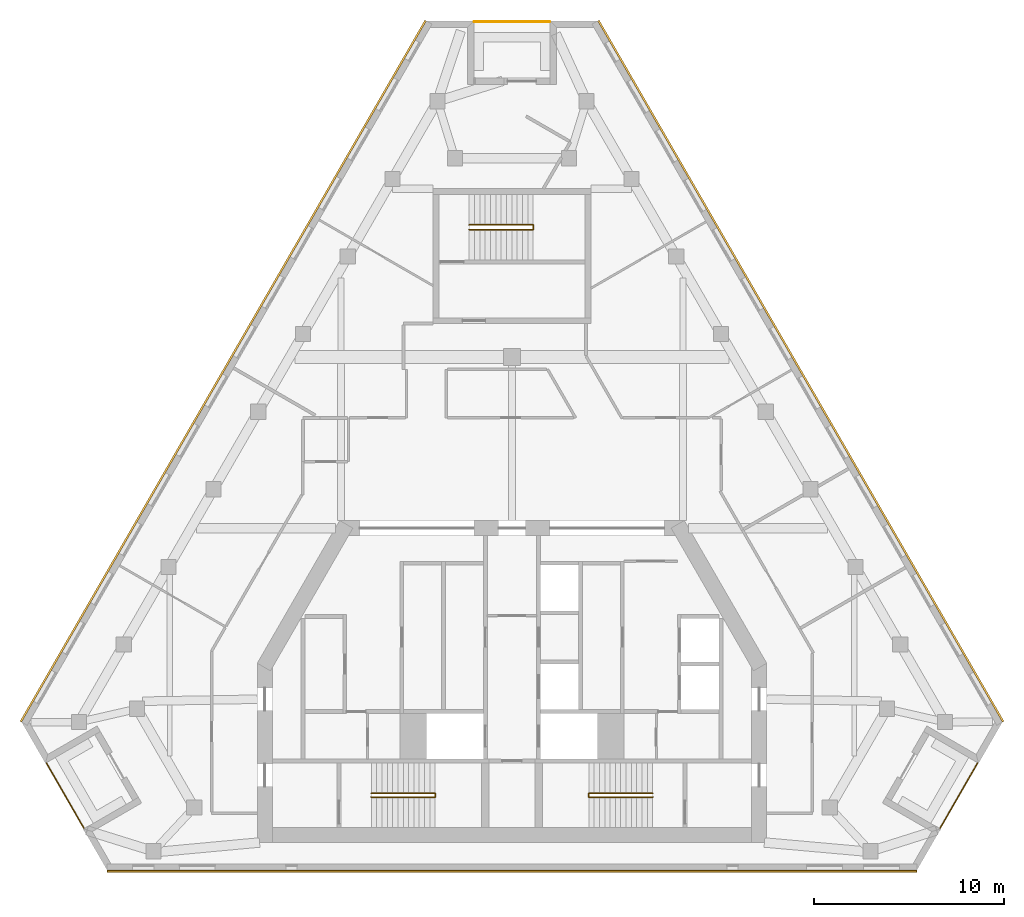
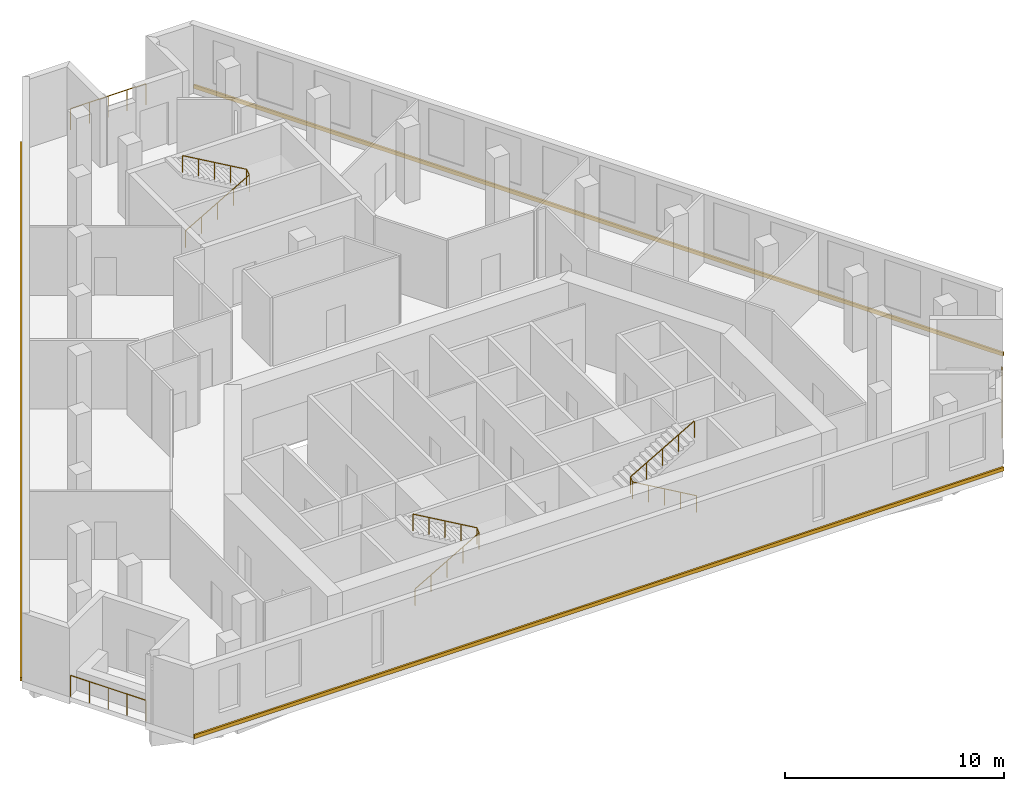
# One storey, part 8 of 8: 6 railings, 3 coverings.
"""IFC4 building model written with IfcOpenShell, lengths in metres."""

from ifc_helpers import new_model, si_unit, direction, frame, origin, origin_2d, place, context, subcontext, project, spatial, polyline, circle, outline, extrude, material, type_object, element, save


model = new_model("IFC4")

# Units and contexts
model_context = context("Model", 3, precision=1e-05, world=origin(), true_north=direction((0.0, 1.0)))
body_context = subcontext(model_context, "Body", "Model", "MODEL_VIEW")
ifc_project = project(units=[si_unit("LENGTHUNIT", "METRE"), si_unit("AREAUNIT", "SQUARE_METRE"), si_unit("VOLUMEUNIT", "CUBIC_METRE"), si_unit("PLANEANGLEUNIT", "RADIAN"), si_unit("MASSUNIT", "GRAM", prefix="KILO")], contexts=[model_context])

# Site, building, storey
site_placement = place(None, origin())
site = spatial("IfcSite", under=ifc_project, at=site_placement, CompositionType="ELEMENT")
building_placement = place(site_placement, origin())
building = spatial("IfcBuilding", under=site, at=building_placement, Name="Fogline Exchange Tower", CompositionType="ELEMENT")
storey_placement = place(building_placement, frame((0.0, 0.0, 266.699951171875)))
storey = spatial("IfcBuildingStorey", under=building, at=storey_placement, Name="L60", CompositionType="ELEMENT", Elevation=266.699951171875)

# Railings
ifc_material_1 = material(Name="Stainless steel 304", Category="steel")
railing_type_1 = type_object("IfcRailingType", Name="G1", PredefinedType="GUARDRAIL", material=ifc_material_1)
railing_1_placement = place(storey_placement, frame((-24.4931640625, 5.635986328125, 0.0)))
element("IfcRailing", 1, at=railing_1_placement, inside=storey, type_object=railing_type_1, Name="Balcony guard L60 SW", PredefinedType="GUARDRAIL", context=body_context, shape_type="SweptSolid", body=[
    extrude(circle(Radius=0.02392578125, at=origin_2d()), frame((0.0, 0.0, 1.17578125), z_axis=(0.500000102728, -0.866025344474, 0.0), x_axis=(0.866025344474, 0.500000102728, 0.0)), (0.0, 0.0, 1.0), 3.9580078125),
    extrude(circle(Radius=0.02099609375, at=origin_2d()), origin(), (0.0, 0.0, 1.0), 1.15185546875),
    extrude(circle(Radius=0.02099609375, at=origin_2d()), frame((0.49462890625, -0.85693359375, 0.0)), (0.0, 0.0, 1.0), 1.15185546875),
    extrude(circle(Radius=0.02099609375, at=origin_2d()), frame((0.989501953125, -1.7138671875, 0.0)), (0.0, 0.0, 1.0), 1.15185546875),
    extrude(circle(Radius=0.02099609375, at=origin_2d()), frame((1.484375, -2.57080078125, 0.0)), (0.0, 0.0, 1.0), 1.15185546875),
    extrude(circle(Radius=0.02099609375, at=origin_2d()), frame((1.97900390625, -3.427734375, 0.0)), (0.0, 0.0, 1.0), 1.15185546875),
])
railing_2_placement = place(storey_placement, frame((22.51416015625, 2.208251953125, 0.0)))
element("IfcRailing", 2, at=railing_2_placement, inside=storey, type_object=railing_type_1, Name="Balcony guard L60 SE", PredefinedType="GUARDRAIL", context=body_context, shape_type="SweptSolid", body=[
    extrude(circle(Radius=0.02392578125, at=origin_2d()), frame((0.0, 0.0, 1.17578125), z_axis=(0.500000102728, 0.866025344474, 0.0), x_axis=(-0.866025344474, 0.500000102728, 0.0)), (0.0, 0.0, 1.0), 3.9580078125),
    extrude(circle(Radius=0.02099609375, at=origin_2d()), origin(), (0.0, 0.0, 1.0), 1.15185546875),
    extrude(circle(Radius=0.02099609375, at=origin_2d()), frame((0.49462890625, 0.85693359375, 0.0)), (0.0, 0.0, 1.0), 1.15185546875),
    extrude(circle(Radius=0.02099609375, at=origin_2d()), frame((0.989501953125, 1.7138671875, 0.0)), (0.0, 0.0, 1.0), 1.15185546875),
    extrude(circle(Radius=0.02099609375, at=origin_2d()), frame((1.484375, 2.57080078125, 0.0)), (0.0, 0.0, 1.0), 1.15185546875),
    extrude(circle(Radius=0.02099609375, at=origin_2d()), frame((1.97900390625, 3.427734375, 0.0)), (0.0, 0.0, 1.0), 1.15185546875),
])
railing_3_placement = place(storey_placement, frame((1.97900390625, 44.631591796875, 0.0)))
element("IfcRailing", 3, at=railing_3_placement, inside=storey, type_object=railing_type_1, Name="Balcony guard L60 N", PredefinedType="GUARDRAIL", context=body_context, shape_type="SweptSolid", body=[
    extrude(circle(Radius=0.02392578125, at=origin_2d()), frame((0.0, 0.0, 1.17578125), z_axis=(-1.0, 0.0, 0.0), x_axis=(0.0, -1.0, 0.0)), (0.0, 0.0, 1.0), 3.9580078125),
    extrude(circle(Radius=0.02099609375, at=origin_2d()), origin(), (0.0, 0.0, 1.0), 1.15185546875),
    extrude(circle(Radius=0.02099609375, at=origin_2d()), frame((-0.989501953125, 0.0, 0.0)), (0.0, 0.0, 1.0), 1.15185546875),
    extrude(circle(Radius=0.02099609375, at=origin_2d()), frame((-1.97900390625, 0.0, 0.0)), (0.0, 0.0, 1.0), 1.15185546875),
    extrude(circle(Radius=0.02099609375, at=origin_2d()), frame((-2.968505859375, 0.0, 0.0)), (0.0, 0.0, 1.0), 1.15185546875),
    extrude(circle(Radius=0.02099609375, at=origin_2d()), frame((-3.9580078125, 0.0, 0.0)), (0.0, 0.0, 1.0), 1.15185546875),
])
ifc_material_2 = material(Name="Steel Q235B", Category="steel")
railing_type_2 = type_object("IfcRailingType", Name="RL-HR", PredefinedType="HANDRAIL", material=ifc_material_2)
railing_4_placement = place(storey_placement, frame((-7.39990234375, 3.85009765625, 0.16162109375)))
element("IfcRailing", 4, at=railing_4_placement, inside=storey, type_object=railing_type_2, Name="Handrail ST1", PredefinedType="HANDRAIL", context=body_context, shape_type="SweptSolid", body=[
    extrude(circle(Radius=0.02392578125, at=origin_2d()), frame((0.0, 0.0, 0.92578125), z_axis=(0.866175107563, 0.0, 0.499740615757), x_axis=(0.0, 1.0, 0.0)), (0.0, 0.0, 1.0), 3.87890625),
    extrude(circle(Radius=0.02392578125, at=origin_2d()), frame((3.35986328125, 0.0, 2.8642578125), z_axis=(0.0, 0.778173348306, 0.628049552174), x_axis=(-1.0, 0.0, 0.0)), (0.0, 0.0, 1.0), 0.2568359375),
    extrude(circle(Radius=0.02392578125, at=origin_2d()), frame((3.35986328125, 0.199951171875, 3.02587890625), z_axis=(-0.866175107563, 0.0, 0.499740615757), x_axis=(0.0, -1.0, 0.0)), (0.0, 0.0, 1.0), 3.87890625),
    extrude(circle(Radius=0.02099609375, at=origin_2d()), origin(), (0.0, 0.0, 1.0), 0.90185546875),
    extrude(circle(Radius=0.02099609375, at=origin_2d()), frame((0.83984375, 0.0, 0.484619140625)), (0.0, 0.0, 1.0), 0.90185546875),
    extrude(circle(Radius=0.02099609375, at=origin_2d()), frame((1.679931640625, 0.0, 0.96923828125)), (0.0, 0.0, 1.0), 0.90185546875),
    extrude(circle(Radius=0.02099609375, at=origin_2d()), frame((2.52001953125, 0.0, 1.453857421875)), (0.0, 0.0, 1.0), 0.90185546875),
    extrude(circle(Radius=0.02099609375, at=origin_2d()), frame((3.35986328125, 0.0, 1.9384765625)), (0.0, 0.0, 1.0), 0.90185546875),
    extrude(circle(Radius=0.02099609375, at=origin_2d()), frame((3.35986328125, 0.199951171875, 2.099853515625)), (0.0, 0.0, 1.0), 0.90185546875),
    extrude(circle(Radius=0.02099609375, at=origin_2d()), frame((2.52001953125, 0.199951171875, 2.58447265625)), (0.0, 0.0, 1.0), 0.90185546875),
    extrude(circle(Radius=0.02099609375, at=origin_2d()), frame((1.679931640625, 0.199951171875, 3.069091796875)), (0.0, 0.0, 1.0), 0.90185546875),
    extrude(circle(Radius=0.02099609375, at=origin_2d()), frame((0.83984375, 0.199951171875, 3.5537109375)), (0.0, 0.0, 1.0), 0.90185546875),
    extrude(circle(Radius=0.02099609375, at=origin_2d()), frame((0.0, 0.199951171875, 4.038330078125)), (0.0, 0.0, 1.0), 0.90185546875),
])
railing_5_placement = place(storey_placement, frame((7.39990234375, 3.85009765625, 0.16162109375)))
element("IfcRailing", 5, at=railing_5_placement, inside=storey, type_object=railing_type_2, Name="Handrail ST2", PredefinedType="HANDRAIL", context=body_context, shape_type="SweptSolid", body=[
    extrude(circle(Radius=0.02392578125, at=origin_2d()), frame((0.0, 0.0, 0.92578125), z_axis=(-0.866175107563, 0.0, 0.499740615757), x_axis=(0.0, -1.0, 0.0)), (0.0, 0.0, 1.0), 3.87890625),
    extrude(circle(Radius=0.02392578125, at=origin_2d()), frame((-3.35986328125, 0.0, 2.8642578125), z_axis=(0.0, 0.778173348306, 0.628049552174), x_axis=(-1.0, 0.0, 0.0)), (0.0, 0.0, 1.0), 0.2568359375),
    extrude(circle(Radius=0.02392578125, at=origin_2d()), frame((-3.35986328125, 0.199951171875, 3.02587890625), z_axis=(0.866175107563, 0.0, 0.499740615757), x_axis=(0.0, 1.0, 0.0)), (0.0, 0.0, 1.0), 3.87890625),
    extrude(circle(Radius=0.02099609375, at=origin_2d()), origin(), (0.0, 0.0, 1.0), 0.90185546875),
    extrude(circle(Radius=0.02099609375, at=origin_2d()), frame((-0.83984375, 0.0, 0.484619140625)), (0.0, 0.0, 1.0), 0.90185546875),
    extrude(circle(Radius=0.02099609375, at=origin_2d()), frame((-1.679931640625, 0.0, 0.96923828125)), (0.0, 0.0, 1.0), 0.90185546875),
    extrude(circle(Radius=0.02099609375, at=origin_2d()), frame((-2.52001953125, 0.0, 1.453857421875)), (0.0, 0.0, 1.0), 0.90185546875),
    extrude(circle(Radius=0.02099609375, at=origin_2d()), frame((-3.35986328125, 0.0, 1.9384765625)), (0.0, 0.0, 1.0), 0.90185546875),
    extrude(circle(Radius=0.02099609375, at=origin_2d()), frame((-3.35986328125, 0.199951171875, 2.099853515625)), (0.0, 0.0, 1.0), 0.90185546875),
    extrude(circle(Radius=0.02099609375, at=origin_2d()), frame((-2.52001953125, 0.199951171875, 2.58447265625)), (0.0, 0.0, 1.0), 0.90185546875),
    extrude(circle(Radius=0.02099609375, at=origin_2d()), frame((-1.679931640625, 0.199951171875, 3.069091796875)), (0.0, 0.0, 1.0), 0.90185546875),
    extrude(circle(Radius=0.02099609375, at=origin_2d()), frame((-0.83984375, 0.199951171875, 3.5537109375)), (0.0, 0.0, 1.0), 0.90185546875),
    extrude(circle(Radius=0.02099609375, at=origin_2d()), frame((0.0, 0.199951171875, 4.038330078125)), (0.0, 0.0, 1.0), 0.90185546875),
])
railing_6_placement = place(storey_placement, frame((-2.25, 33.70703125, 0.16162109375)))
element("IfcRailing", 6, at=railing_6_placement, inside=storey, type_object=railing_type_2, Name="Handrail ST3", PredefinedType="HANDRAIL", context=body_context, shape_type="SweptSolid", body=[
    extrude(circle(Radius=0.02392578125, at=origin_2d()), frame((0.0, 0.0, 0.92578125), z_axis=(0.866190824863, 0.0, 0.499713372768), x_axis=(0.0, 1.0, 0.0)), (0.0, 0.0, 1.0), 3.879150390625),
    extrude(circle(Radius=0.02392578125, at=origin_2d()), frame((3.360107421875, 0.0, 2.8642578125), z_axis=(0.0, 0.840163997081, 0.542332423897), x_axis=(-1.0, 0.0, 0.0)), (0.0, 0.0, 1.0), 0.297607421875),
    extrude(circle(Radius=0.02392578125, at=origin_2d()), frame((3.360107421875, 0.25, 3.02587890625), z_axis=(-0.866190824863, 0.0, 0.499713372768), x_axis=(0.0, -1.0, 0.0)), (0.0, 0.0, 1.0), 3.879150390625),
    extrude(circle(Radius=0.02099609375, at=origin_2d()), origin(), (0.0, 0.0, 1.0), 0.90185546875),
    extrude(circle(Radius=0.02099609375, at=origin_2d()), frame((0.840087890625, 0.0, 0.484619140625)), (0.0, 0.0, 1.0), 0.90185546875),
    extrude(circle(Radius=0.02099609375, at=origin_2d()), frame((1.68017578125, 0.0, 0.96923828125)), (0.0, 0.0, 1.0), 0.90185546875),
    extrude(circle(Radius=0.02099609375, at=origin_2d()), frame((2.52001953125, 0.0, 1.453857421875)), (0.0, 0.0, 1.0), 0.90185546875),
    extrude(circle(Radius=0.02099609375, at=origin_2d()), frame((3.360107421875, 0.0, 1.9384765625)), (0.0, 0.0, 1.0), 0.90185546875),
    extrude(circle(Radius=0.02099609375, at=origin_2d()), frame((3.360107421875, 0.25, 2.099853515625)), (0.0, 0.0, 1.0), 0.90185546875),
    extrude(circle(Radius=0.02099609375, at=origin_2d()), frame((2.52001953125, 0.25, 2.58447265625)), (0.0, 0.0, 1.0), 0.90185546875),
    extrude(circle(Radius=0.02099609375, at=origin_2d()), frame((1.68017578125, 0.25, 3.069091796875)), (0.0, 0.0, 1.0), 0.90185546875),
    extrude(circle(Radius=0.02099609375, at=origin_2d()), frame((0.840087890625, 0.25, 3.5537109375)), (0.0, 0.0, 1.0), 0.90185546875),
    extrude(circle(Radius=0.02099609375, at=origin_2d()), frame((0.0, 0.25, 4.038330078125)), (0.0, 0.0, 1.0), 0.90185546875),
])

# Coverings
ifc_material_3 = material(Name="Brick masonry", Category="masonry")
covering_type = type_object("IfcCoveringType", Name="SB1", PredefinedType="CLADDING", material=ifc_material_3)
covering_1_placement = place(storey_placement, origin())
element("IfcCovering", 7, at=covering_1_placement, inside=storey, type_object=covering_type, Name="Stringcourse band L60 S", PredefinedType="CLADDING", context=body_context, shape_type="SweptSolid", body=[
    extrude(outline(polyline([(-21.297119140625, 0.0), (-21.297119140625, -0.10009765625), (21.297119140625, -0.10009765625), (21.297119140625, 0.0), (-21.297119140625, 0.0)])), origin(), (0.0, 0.0, 1.0), 0.199951171875),
])
covering_2_placement = place(storey_placement, origin())
element("IfcCovering", 8, at=covering_2_placement, inside=storey, type_object=covering_type, Name="Stringcourse band L60 E", PredefinedType="CLADDING", context=body_context, shape_type="SweptSolid", body=[
    extrude(outline(polyline([(25.797119140625, 7.794189453125), (25.883544921875, 7.84423828125), (4.586669921875, 44.731689453125), (4.5, 44.681640625), (25.797119140625, 7.794189453125)])), origin(), (0.0, 0.0, 1.0), 0.199951171875),
])
covering_3_placement = place(storey_placement, origin())
element("IfcCovering", 9, at=covering_3_placement, inside=storey, type_object=covering_type, Name="Stringcourse band L60 W", PredefinedType="CLADDING", context=body_context, shape_type="SweptSolid", body=[
    extrude(outline(polyline([(-4.5, 44.681640625), (-4.586669921875, 44.731689453125), (-25.883544921875, 7.84423828125), (-25.797119140625, 7.794189453125), (-4.5, 44.681640625)])), origin(), (0.0, 0.0, 1.0), 0.199951171875),
])

save(model, "model.ifc")
